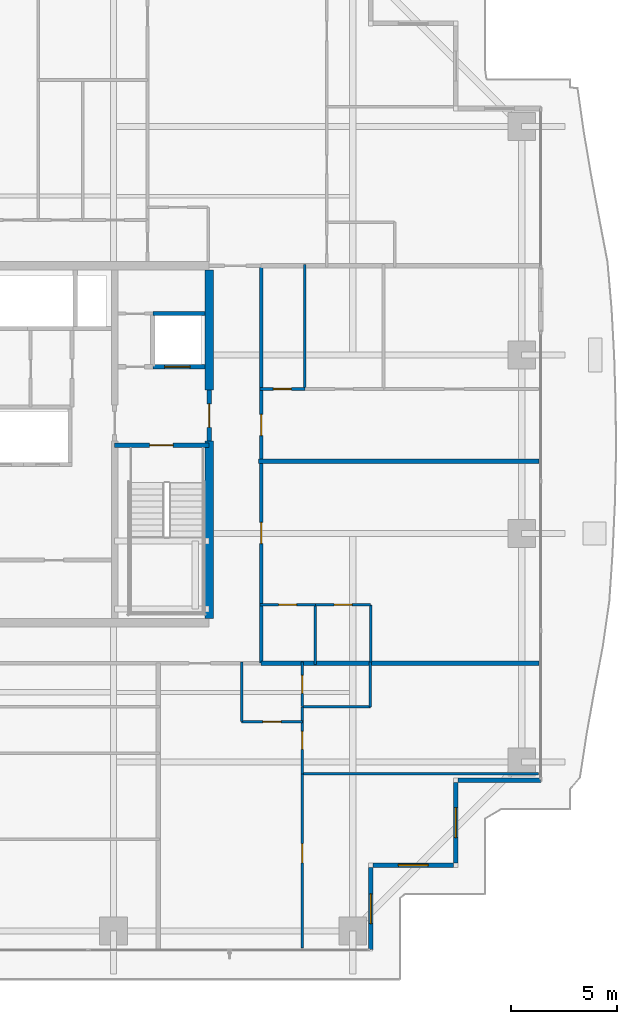
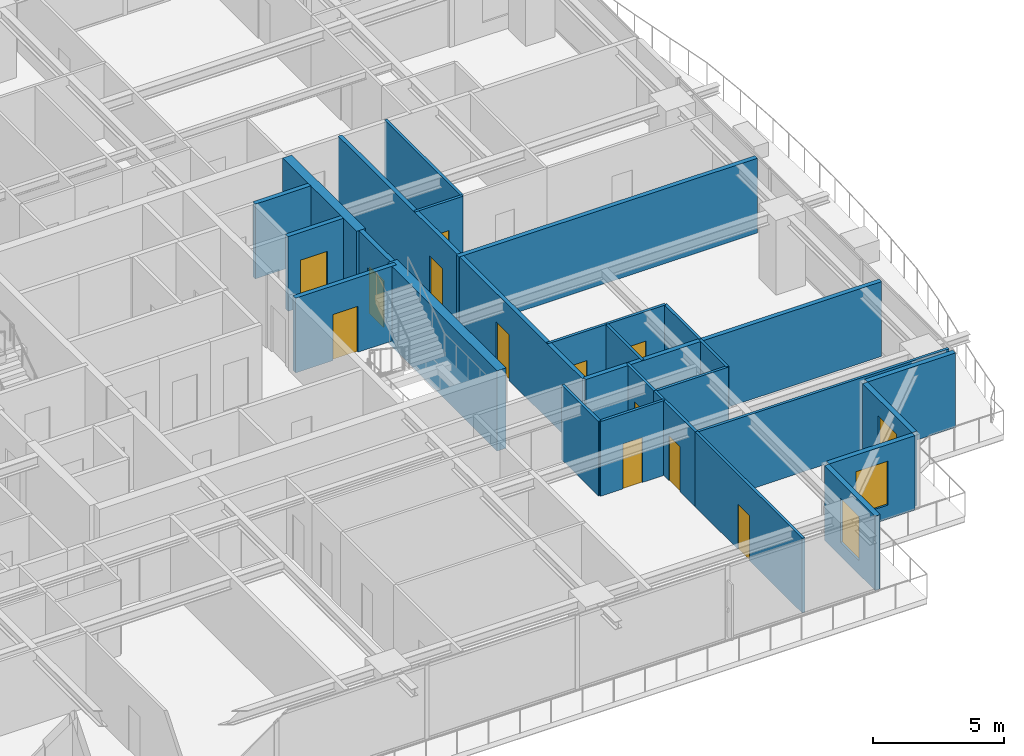
# One storey, part 26 of 34: 27 walls, 12 doors, 3 windows, 15 openings.
"""IFC4 building model written with IfcOpenShell, lengths in metres."""

from ifc_helpers import new_model, si_unit, direction, frame, frame_2d, origin, place, context, subcontext, project, spatial, rectangle, extrude, source, transform, mapped, material, layer, layer_set, type_object, element, fill, save


model = new_model("IFC4")

# Units and contexts
model_context = context("Model", 3, precision=1e-05, world=origin(), true_north=direction((0.0, 1.0)))
body_context = subcontext(model_context, "Body", "Model", "MODEL_VIEW")
ifc_project = project(units=[si_unit("LENGTHUNIT", "METRE"), si_unit("AREAUNIT", "SQUARE_METRE"), si_unit("VOLUMEUNIT", "CUBIC_METRE"), si_unit("PLANEANGLEUNIT", "RADIAN"), si_unit("MASSUNIT", "GRAM", prefix="KILO")], contexts=[model_context])

# Site, building, storey
site_placement = place(None, origin())
site = spatial("IfcSite", under=ifc_project, at=site_placement, CompositionType="ELEMENT")
building_placement = place(site_placement, origin())
building = spatial("IfcBuilding", under=site, at=building_placement, Name="Serunith Strait Residences", CompositionType="ELEMENT")
storey_placement = place(building_placement, frame((0.0, 0.0, 180.14990234375)))
storey = spatial("IfcBuildingStorey", under=building, at=storey_placement, Name="L45", CompositionType="ELEMENT", Elevation=180.14990234375)

# Wall, opening, window
ifc_material_1 = material(Name="Pale-Champagne Aluminium Insulated Panel", Category="aluminium")
ifc_layer_1 = layer(ifc_material_1, 0.219970703125, Name="Pale-Champagne Aluminium Insulated Panel")
ifc_layer_set_1 = layer_set([ifc_layer_1], Name="Pale-Champagne Aluminium Insulated Panel")
wall_type_1 = type_object("IfcWallType", Name="EW-ALUM-220", PredefinedType="ELEMENTEDWALL", material=ifc_layer_set_1)
wall_1_placement = place(storey_placement, frame((49.0, 1.39990234375, 0.0), z_axis=(0.0, 0.0, 1.0), x_axis=(0.0, 1.0, 0.0)))
wall_1 = element("IfcWall", 1, at=wall_1_placement, inside=storey, type_object=wall_type_1, Name="L45 Girih Serrated Corner Wall 02", PredefinedType="ELEMENTEDWALL", context=body_context, shape_type="SweptSolid", body=[
    extrude(rectangle(XDim=3.89013671875, YDim=0.219970703125, at=frame_2d((1.945068359375, 0.0))), origin(), (0.0, 0.0, 1.0), 3.47509765625),
])
opening_1_placement = place(wall_1_placement, frame((1.2451171875, 0.0, 0.64990234375)))
opening_1 = element("IfcOpeningElement", 2, at=opening_1_placement, cuts=wall_1, Name="Opening W-03", PredefinedType="OPENING", context=body_context, shape_type="SweptSolid", body=[
    extrude(rectangle(XDim=1.39990234375, YDim=2.050048828125, at=frame_2d((0.699951171875, 1.02490234375))), frame((0.0, 0.1201171875, 0.0), z_axis=(0.0, -1.0, 0.0), x_axis=(1.0, 0.0, 0.0)), (0.0, 0.0, 1.0), 0.239990234375),
])
ifc_material_2 = material(Name="Ceramic-Fritted Operable Aluminium Window Glass", Category="aluminium")
window_type = type_object("IfcWindowType", Name="WIN-C3", PartitioningType="SINGLE_PANEL", PredefinedType="WINDOW", material=ifc_material_2)
shared_shape_1 = source(origin(), body_context, "Body", "SweptSolid", [
    extrude(rectangle(XDim=1.39990234375, YDim=2.050048828125, at=frame_2d((0.699951171875, 1.02490234375))), frame((0.0, 0.030029296875, 0.0), z_axis=(0.0, -1.0, 0.0), x_axis=(1.0, 0.0, 0.0)), (0.0, 0.0, 1.0), 0.06005859375),
])
window_1_placement = place(opening_1_placement, origin())
window_1 = element("IfcWindow", 3, at=window_1_placement, inside=storey, type_object=window_type, Name="L45 Corner Operable Fritted Window 02", OverallHeight=2.050048828125, OverallWidth=1.39990234375, PartitioningType="SINGLE_PANEL", PredefinedType="WINDOW", context=body_context, shape_type="MappedRepresentation", body=[
    mapped(shared_shape_1, transform((0.0, 0.0, 0.0), scale=1.0)),
])
fill(opening_1, window_1)

wall_2_placement = place(storey_placement, frame((49.110107421875, 5.39990234375, 0.0), z_axis=(0.0, 0.0, 1.0), x_axis=(1.0, 0.0, 0.0)))
wall_2 = element("IfcWall", 4, at=wall_2_placement, inside=storey, type_object=wall_type_1, Name="L45 Girih Serrated Corner Wall 03", PredefinedType="ELEMENTEDWALL", context=body_context, shape_type="SweptSolid", body=[
    extrude(rectangle(XDim=3.77978515625, YDim=0.219970703125, at=frame_2d((1.889892578125, 0.0))), origin(), (0.0, 0.0, 1.0), 3.47509765625),
])
opening_2_placement = place(wall_2_placement, frame((1.18994140625, 0.0, 0.64990234375)))
opening_2 = element("IfcOpeningElement", 5, at=opening_2_placement, cuts=wall_2, Name="Opening W-03", PredefinedType="OPENING", context=body_context, shape_type="SweptSolid", body=[
    extrude(rectangle(XDim=1.39990234375, YDim=2.050048828125, at=frame_2d((0.699951171875, 1.02490234375))), frame((0.0, 0.1201171875, 0.0), z_axis=(0.0, -1.0, 0.0), x_axis=(1.0, 0.0, 0.0)), (0.0, 0.0, 1.0), 0.239990234375),
])
window_2_placement = place(opening_2_placement, origin())
window_2 = element("IfcWindow", 6, at=window_2_placement, inside=storey, type_object=window_type, Name="L45 Corner Operable Fritted Window 03", OverallHeight=2.050048828125, OverallWidth=1.39990234375, PartitioningType="SINGLE_PANEL", PredefinedType="WINDOW", context=body_context, shape_type="MappedRepresentation", body=[
    mapped(shared_shape_1, transform((0.0, 0.0, 0.0), scale=1.0)),
])
fill(opening_2, window_2)

wall_3_placement = place(storey_placement, frame((53.0, 5.510009765625, 0.0), z_axis=(0.0, 0.0, 1.0), x_axis=(0.0, 1.0, 0.0)))
wall_3 = element("IfcWall", 7, at=wall_3_placement, inside=storey, type_object=wall_type_1, Name="L45 Girih Serrated Corner Wall 04", PredefinedType="ELEMENTEDWALL", context=body_context, shape_type="SweptSolid", body=[
    extrude(rectangle(XDim=3.780029296875, YDim=0.219970703125, at=frame_2d((1.89013671875, 0.0))), origin(), (0.0, 0.0, 1.0), 3.47509765625),
])
opening_3_placement = place(wall_3_placement, frame((1.18994140625, 0.0, 0.64990234375)))
opening_3 = element("IfcOpeningElement", 8, at=opening_3_placement, cuts=wall_3, Name="Opening W-03", PredefinedType="OPENING", context=body_context, shape_type="SweptSolid", body=[
    extrude(rectangle(XDim=1.39990234375, YDim=2.050048828125, at=frame_2d((0.699951171875, 1.02490234375))), frame((0.0, 0.1201171875, 0.0), z_axis=(0.0, -1.0, 0.0), x_axis=(1.0, 0.0, 0.0)), (0.0, 0.0, 1.0), 0.239990234375),
])
window_3_placement = place(opening_3_placement, origin())
window_3 = element("IfcWindow", 9, at=window_3_placement, inside=storey, type_object=window_type, Name="L45 Corner Operable Fritted Window 04", OverallHeight=2.050048828125, OverallWidth=1.39990234375, PartitioningType="SINGLE_PANEL", PredefinedType="WINDOW", context=body_context, shape_type="MappedRepresentation", body=[
    mapped(shared_shape_1, transform((0.0, 0.0, 0.0), scale=1.0)),
])
fill(opening_3, window_3)

# Wall
wall_4_placement = place(storey_placement, frame((53.110107421875, 9.39990234375, 0.0), z_axis=(0.0, 0.0, 1.0), x_axis=(1.0, 0.0, 0.0)))
element("IfcWall", 10, at=wall_4_placement, inside=storey, type_object=wall_type_1, Name="L45 Girih Serrated Corner Wall 05", PredefinedType="ELEMENTEDWALL", context=body_context, shape_type="SweptSolid", body=[
    extrude(rectangle(XDim=3.889892578125, YDim=0.219970703125, at=frame_2d((1.94482421875, 0.0))), origin(), (0.0, 0.0, 1.0), 3.47509765625),
])

# Wall, openings, doors
ifc_material_3 = material(Name="Fire-rated acoustic gypsum partition")
ifc_layer_2 = layer(ifc_material_3, 0.179931640625, Name="Fire-rated acoustic gypsum partition")
ifc_layer_set_2 = layer_set([ifc_layer_2], Name="Fire-rated acoustic gypsum partition")
wall_type_2 = type_object("IfcWallType", Name="IW-CORR-180", PredefinedType="PARTITIONING", material=ifc_layer_set_2)
wall_5_placement = place(storey_placement, frame((43.85009765625, 14.89990234375, 0.0), z_axis=(0.0, 0.0, 1.0), x_axis=(0.0, 1.0, 0.0)))
wall_5 = element("IfcWall", 11, at=wall_5_placement, inside=storey, type_object=wall_type_2, Name="L45 Partition Wall 028", PredefinedType="PARTITIONING", context=body_context, shape_type="SweptSolid", body=[
    extrude(rectangle(XDim=18.7001953125, YDim=0.179931640625, at=frame_2d((9.35009765625, 0.0))), origin(), (0.0, 0.0, 1.0), 3.489990234375),
])
opening_4_placement = place(wall_5_placement, frame((5.62890625, 0.0, 0.0)))
opening_4 = element("IfcOpeningElement", 12, at=opening_4_placement, cuts=wall_5, Name="Opening D-APT1000", PredefinedType="OPENING", context=body_context, shape_type="SweptSolid", body=[
    extrude(rectangle(XDim=1.0, YDim=2.14990234375, at=frame_2d((0.5, 1.074951171875))), frame((0.0, 0.10009765625, 0.0), z_axis=(0.0, -1.0, 0.0), x_axis=(1.0, 0.0, 0.0)), (0.0, 0.0, 1.0), 0.199951171875),
])
opening_5_placement = place(wall_5_placement, frame((10.708984375, 0.0, 0.0)))
opening_5 = element("IfcOpeningElement", 13, at=opening_5_placement, cuts=wall_5, Name="Opening D-APT1000", PredefinedType="OPENING", context=body_context, shape_type="SweptSolid", body=[
    extrude(rectangle(XDim=1.0, YDim=2.14990234375, at=frame_2d((0.5, 1.074951171875))), frame((0.0, 0.10009765625, 0.0), z_axis=(0.0, -1.0, 0.0), x_axis=(1.0, 0.0, 0.0)), (0.0, 0.0, 1.0), 0.199951171875),
])
ifc_material_4 = material(Name="Solid timber engineered fire door", Category="wood")
door_type_1 = type_object("IfcDoorType", Name="ID-APT-1000", OperationType="NOTDEFINED", PredefinedType="DOOR", material=ifc_material_4)
shared_shape_2 = source(origin(), body_context, "Body", "SweptSolid", [
    extrude(rectangle(XDim=1.0, YDim=2.14990234375, at=frame_2d((0.5, 1.074951171875))), frame((0.0, 0.02490234375, 0.0), z_axis=(0.0, -1.0, 0.0), x_axis=(1.0, 0.0, 0.0)), (0.0, 0.0, 1.0), 0.050048828125),
])
door_1_placement = place(opening_4_placement, origin())
door_1 = element("IfcDoor", 14, at=door_1_placement, inside=storey, type_object=door_type_1, Name="L45 Unit 07 Entrance Door", OperationType="SINGLE_SWING_RIGHT", OverallHeight=2.14990234375, OverallWidth=1.0, PredefinedType="DOOR", context=body_context, shape_type="MappedRepresentation", body=[
    mapped(shared_shape_2, transform((0.0, 0.0, 0.0), scale=1.0)),
])
fill(opening_4, door_1)
door_2_placement = place(opening_5_placement, origin())
door_2 = element("IfcDoor", 15, at=door_2_placement, inside=storey, type_object=door_type_1, Name="L45 Unit 08 Entrance Door", OperationType="SINGLE_SWING_LEFT", OverallHeight=2.14990234375, OverallWidth=1.0, PredefinedType="DOOR", context=body_context, shape_type="MappedRepresentation", body=[
    mapped(shared_shape_2, transform((0.0, 0.0, 0.0), scale=1.0)),
])
fill(opening_5, door_2)

# Wall, opening, door
ifc_material_5 = material(Name="Lightweight steel-stud gypsum partition", Category="steel")
ifc_layer_3 = layer(ifc_material_5, 0.1201171875, Name="Lightweight steel-stud gypsum partition")
ifc_layer_set_3 = layer_set([ifc_layer_3], Name="Lightweight steel-stud gypsum partition")
wall_type_3 = type_object("IfcWallType", Name="IW-PART-120", PredefinedType="PARTITIONING", material=ifc_layer_set_3)
wall_6_placement = place(storey_placement, frame((42.929931640625, 12.14990234375, 0.0), z_axis=(0.0, 0.0, 1.0), x_axis=(1.0, 0.0, 0.0)))
wall_6 = element("IfcWall", 16, at=wall_6_placement, inside=storey, type_object=wall_type_3, Name="L45 Partition Wall 046", PredefinedType="PARTITIONING", context=body_context, shape_type="SweptSolid", body=[
    extrude(rectangle(XDim=2.85009765625, YDim=0.1201171875, at=frame_2d((1.425048828125, 0.0))), origin(), (0.0, 0.0, 1.0), 3.489990234375),
])
opening_6_placement = place(wall_6_placement, frame((1.0, 0.0, 0.0)))
opening_6 = element("IfcOpeningElement", 17, at=opening_6_placement, cuts=wall_6, Name="Opening D-RM850", PredefinedType="OPENING", context=body_context, shape_type="SweptSolid", body=[
    extrude(rectangle(XDim=0.85009765625, YDim=2.10009765625, at=frame_2d((0.425048828125, 1.050048828125))), frame((0.0, 0.070068359375, 0.0), z_axis=(0.0, -1.0, 0.0), x_axis=(1.0, 0.0, 0.0)), (0.0, 0.0, 1.0), 0.14013671875),
])
ifc_material_6 = material(Name="Engineered timber flush study and kitchen door", Category="wood")
door_type_2 = type_object("IfcDoorType", Name="ID-ROOM-850", OperationType="NOTDEFINED", PredefinedType="DOOR", material=ifc_material_6)
shared_shape_3 = source(origin(), body_context, "Body", "SweptSolid", [
    extrude(rectangle(XDim=0.85009765625, YDim=2.10009765625, at=frame_2d((0.425048828125, 1.050048828125))), frame((0.0, 0.02490234375, 0.0), z_axis=(0.0, -1.0, 0.0), x_axis=(1.0, 0.0, 0.0)), (0.0, 0.0, 1.0), 0.050048828125),
])
door_3_placement = place(opening_6_placement, origin())
door_3 = element("IfcDoor", 18, at=door_3_placement, inside=storey, type_object=door_type_2, Name="L45 Kitchen 4503 Door", OperationType="SINGLE_SWING_LEFT", OverallHeight=2.10009765625, OverallWidth=0.85009765625, PredefinedType="DOOR", context=body_context, shape_type="MappedRepresentation", body=[
    mapped(shared_shape_3, transform((0.0, 0.0, 0.0), scale=1.0)),
])
fill(opening_6, door_3)

# Wall
wall_7_placement = place(storey_placement, frame((42.929931640625, 12.14990234375, 0.0), z_axis=(0.0, 0.0, 1.0), x_axis=(0.0, 1.0, 0.0)))
element("IfcWall", 19, at=wall_7_placement, inside=storey, type_object=wall_type_3, Name="L45 Partition Wall 047", PredefinedType="PARTITIONING", context=body_context, shape_type="SweptSolid", body=[
    extrude(rectangle(XDim=2.81005859375, YDim=0.1201171875, at=frame_2d((1.405029296875, 0.0))), origin(), (0.0, 0.0, 1.0), 3.489990234375),
])

# Wall, opening, door
wall_8_placement = place(storey_placement, frame((45.780029296875, 1.4951171875, 0.0), z_axis=(0.0, 0.0, 1.0), x_axis=(0.0, 1.0, 0.0)))
wall_8 = element("IfcWall", 20, at=wall_8_placement, inside=storey, type_object=wall_type_3, Name="L45 Partition Wall 048", PredefinedType="PARTITIONING", context=body_context, shape_type="SweptSolid", body=[
    extrude(rectangle(XDim=8.19482421875, YDim=0.1201171875, at=frame_2d((4.097412109375, 0.0))), origin(), (0.0, 0.0, 1.0), 3.489990234375),
])
opening_7_placement = place(wall_8_placement, frame((4.011962890625, 0.0, 0.0)))
opening_7 = element("IfcOpeningElement", 21, at=opening_7_placement, cuts=wall_8, Name="Opening D-RM900", PredefinedType="OPENING", context=body_context, shape_type="SweptSolid", body=[
    extrude(rectangle(XDim=0.89990234375, YDim=2.10009765625, at=frame_2d((0.449951171875, 1.050048828125))), frame((0.0, 0.070068359375, 0.0), z_axis=(0.0, -1.0, 0.0), x_axis=(1.0, 0.0, 0.0)), (0.0, 0.0, 1.0), 0.14013671875),
])
ifc_material_7 = material(Name="Engineered timber flush bedroom door", Category="wood")
door_type_3 = type_object("IfcDoorType", Name="ID-ROOM-900", OperationType="NOTDEFINED", PredefinedType="DOOR", material=ifc_material_7)
shared_shape_4 = source(origin(), body_context, "Body", "SweptSolid", [
    extrude(rectangle(XDim=0.89990234375, YDim=2.10009765625, at=frame_2d((0.449951171875, 1.050048828125))), frame((0.0, 0.02490234375, 0.0), z_axis=(0.0, -1.0, 0.0), x_axis=(1.0, 0.0, 0.0)), (0.0, 0.0, 1.0), 0.050048828125),
])
door_4_placement = place(opening_7_placement, origin())
door_4 = element("IfcDoor", 22, at=door_4_placement, inside=storey, type_object=door_type_3, Name="L45 Master Bedroom 1 4503 Door", OperationType="SINGLE_SWING_RIGHT", OverallHeight=2.10009765625, OverallWidth=0.89990234375, PredefinedType="DOOR", context=body_context, shape_type="MappedRepresentation", body=[
    mapped(shared_shape_4, transform((0.0, 0.0, 0.0), scale=1.0)),
])
fill(opening_7, door_4)

# Walls
wall_9_placement = place(storey_placement, frame((45.780029296875, 9.68994140625, 0.0), z_axis=(0.0, 0.0, 1.0), x_axis=(1.0, 0.0, 0.0)))
element("IfcWall", 23, at=wall_9_placement, inside=storey, type_object=wall_type_3, Name="L45 Partition Wall 049", PredefinedType="PARTITIONING", context=body_context, shape_type="SweptSolid", body=[
    extrude(rectangle(XDim=11.125, YDim=0.1201171875, at=frame_2d((5.5625, 0.0))), origin(), (0.0, 0.0, 1.0), 3.489990234375),
])
wall_10_placement = place(storey_placement, frame((45.780029296875, 12.85009765625, 0.0), z_axis=(0.0, 0.0, 1.0), x_axis=(1.0, 0.0, 0.0)))
element("IfcWall", 24, at=wall_10_placement, inside=storey, type_object=wall_type_3, Name="L45 Partition Wall 050", PredefinedType="PARTITIONING", context=body_context, shape_type="SweptSolid", body=[
    extrude(rectangle(XDim=3.199951171875, YDim=0.1201171875, at=frame_2d((1.60009765625, 0.0))), origin(), (0.0, 0.0, 1.0), 3.489990234375),
])
wall_11_placement = place(storey_placement, frame((48.97998046875, 12.85009765625, 0.0), z_axis=(0.0, 0.0, 1.0), x_axis=(0.0, 1.0, 0.0)))
element("IfcWall", 25, at=wall_11_placement, inside=storey, type_object=wall_type_3, Name="L45 Partition Wall 051", PredefinedType="PARTITIONING", context=body_context, shape_type="SweptSolid", body=[
    extrude(rectangle(XDim=2.10986328125, YDim=0.1201171875, at=frame_2d((1.054931640625, 0.0))), origin(), (0.0, 0.0, 1.0), 3.489990234375),
])

# Wall, opening, door
wall_12_placement = place(storey_placement, frame((45.780029296875, 9.69189453125, 0.0), z_axis=(0.0, 0.0, 1.0), x_axis=(0.0, 1.0, 0.0)))
wall_12 = element("IfcWall", 26, at=wall_12_placement, inside=storey, type_object=wall_type_3, Name="L45 Partition Wall 052", PredefinedType="PARTITIONING", context=body_context, shape_type="SweptSolid", body=[
    extrude(rectangle(XDim=3.158203125, YDim=0.1201171875, at=frame_2d((1.5791015625, 0.0))), origin(), (0.0, 0.0, 1.0), 3.489990234375),
])
opening_8_placement = place(wall_12_placement, frame((1.154052734375, 0.0, 0.0)))
opening_8 = element("IfcOpeningElement", 27, at=opening_8_placement, cuts=wall_12, Name="Opening D-RM850", PredefinedType="OPENING", context=body_context, shape_type="SweptSolid", body=[
    extrude(rectangle(XDim=0.85009765625, YDim=2.10009765625, at=frame_2d((0.425048828125, 1.050048828125))), frame((0.0, 0.070068359375, 0.0), z_axis=(0.0, -1.0, 0.0), x_axis=(1.0, 0.0, 0.0)), (0.0, 0.0, 1.0), 0.14013671875),
])
door_5_placement = place(opening_8_placement, origin())
door_5 = element("IfcDoor", 28, at=door_5_placement, inside=storey, type_object=door_type_2, Name="L45 Walk-in Wardrobe 4503 Door", OperationType="SINGLE_SWING_LEFT", OverallHeight=2.10009765625, OverallWidth=0.85009765625, PredefinedType="DOOR", context=body_context, shape_type="MappedRepresentation", body=[
    mapped(shared_shape_3, transform((0.0, 0.0, 0.0), scale=1.0)),
])
fill(opening_8, door_5)

wall_13_placement = place(storey_placement, frame((45.780029296875, 12.85205078125, 0.0), z_axis=(0.0, 0.0, 1.0), x_axis=(0.0, 1.0, 0.0)))
wall_13 = element("IfcWall", 29, at=wall_13_placement, inside=storey, type_object=wall_type_3, Name="L45 Partition Wall 053", PredefinedType="PARTITIONING", context=body_context, shape_type="SweptSolid", body=[
    extrude(rectangle(XDim=2.10791015625, YDim=0.1201171875, at=frame_2d((1.053955078125, 0.0))), origin(), (0.0, 0.0, 1.0), 3.489990234375),
])
opening_9_placement = place(wall_13_placement, frame((0.62890625, 0.0, 0.0)))
opening_9 = element("IfcOpeningElement", 30, at=opening_9_placement, cuts=wall_13, Name="Opening D-BTH850", PredefinedType="OPENING", context=body_context, shape_type="SweptSolid", body=[
    extrude(rectangle(XDim=0.85009765625, YDim=2.10009765625, at=frame_2d((0.425048828125, 1.050048828125))), frame((0.0, 0.070068359375, 0.0), z_axis=(0.0, -1.0, 0.0), x_axis=(1.0, 0.0, 0.0)), (0.0, 0.0, 1.0), 0.14013671875),
])
ifc_material_8 = material(Name="Moisture-resistant timber bathroom door", Category="wood")
door_type_4 = type_object("IfcDoorType", Name="ID-BATH-850", OperationType="NOTDEFINED", PredefinedType="DOOR", material=ifc_material_8)
door_6_placement = place(opening_9_placement, origin())
door_6 = element("IfcDoor", 31, at=door_6_placement, inside=storey, type_object=door_type_4, Name="L45 Bathroom 4503 Door", OperationType="SINGLE_SWING_RIGHT", OverallHeight=2.10009765625, OverallWidth=0.85009765625, PredefinedType="DOOR", context=body_context, shape_type="MappedRepresentation", body=[
    mapped(shared_shape_3, transform((0.0, 0.0, 0.0), scale=1.0)),
])
fill(opening_9, door_6)

wall_14_placement = place(storey_placement, frame((49.0, 17.64990234375, 0.0), z_axis=(0.0, 0.0, 1.0), x_axis=(-1.0, 0.0, 0.0)))
wall_14 = element("IfcWall", 32, at=wall_14_placement, inside=storey, type_object=wall_type_3, Name="L45 Partition Wall 086", PredefinedType="PARTITIONING", context=body_context, shape_type="SweptSolid", body=[
    extrude(rectangle(XDim=2.60009765625, YDim=0.1201171875, at=frame_2d((1.300048828125, 0.0))), origin(), (0.0, 0.0, 1.0), 3.489990234375),
])
opening_10_placement = place(wall_14_placement, frame((0.875, 0.0, 0.0)))
opening_10 = element("IfcOpeningElement", 33, at=opening_10_placement, cuts=wall_14, Name="Opening D-RM850", PredefinedType="OPENING", context=body_context, shape_type="SweptSolid", body=[
    extrude(rectangle(XDim=0.85009765625, YDim=2.10009765625, at=frame_2d((0.425048828125, 1.050048828125))), frame((0.0, 0.070068359375, 0.0), z_axis=(0.0, -1.0, 0.0), x_axis=(1.0, 0.0, 0.0)), (0.0, 0.0, 1.0), 0.14013671875),
])
door_7_placement = place(opening_10_placement, origin())
door_7 = element("IfcDoor", 34, at=door_7_placement, inside=storey, type_object=door_type_2, Name="L45 Kitchen 4507 Door", OperationType="SINGLE_SWING_LEFT", OverallHeight=2.10009765625, OverallWidth=0.85009765625, PredefinedType="DOOR", context=body_context, shape_type="MappedRepresentation", body=[
    mapped(shared_shape_3, transform((0.0, 0.0, 0.0), scale=1.0)),
])
fill(opening_10, door_7)

wall_15_placement = place(storey_placement, frame((46.39794921875, 17.64990234375, 0.0), z_axis=(0.0, 0.0, 1.0), x_axis=(-1.0, 0.0, 0.0)))
wall_15 = element("IfcWall", 35, at=wall_15_placement, inside=storey, type_object=wall_type_3, Name="L45 Partition Wall 087", PredefinedType="PARTITIONING", context=body_context, shape_type="SweptSolid", body=[
    extrude(rectangle(XDim=2.60791015625, YDim=0.1201171875, at=frame_2d((1.303955078125, 0.0))), origin(), (0.0, 0.0, 1.0), 3.489990234375),
])
opening_11_placement = place(wall_15_placement, frame((0.87890625, 0.0, 0.0)))
opening_11 = element("IfcOpeningElement", 36, at=opening_11_placement, cuts=wall_15, Name="Opening D-BTH850", PredefinedType="OPENING", context=body_context, shape_type="SweptSolid", body=[
    extrude(rectangle(XDim=0.85009765625, YDim=2.10009765625, at=frame_2d((0.425048828125, 1.050048828125))), frame((0.0, 0.070068359375, 0.0), z_axis=(0.0, -1.0, 0.0), x_axis=(1.0, 0.0, 0.0)), (0.0, 0.0, 1.0), 0.14013671875),
])
door_8_placement = place(opening_11_placement, origin())
door_8 = element("IfcDoor", 37, at=door_8_placement, inside=storey, type_object=door_type_4, Name="L45 Bathroom 4507 Door", OperationType="SINGLE_SWING_RIGHT", OverallHeight=2.10009765625, OverallWidth=0.85009765625, PredefinedType="DOOR", context=body_context, shape_type="MappedRepresentation", body=[
    mapped(shared_shape_3, transform((0.0, 0.0, 0.0), scale=1.0)),
])
fill(opening_11, door_8)

# Walls
wall_16_placement = place(storey_placement, frame((46.39990234375, 14.840087890625, 0.0), z_axis=(0.0, 0.0, 1.0), x_axis=(0.0, 1.0, 0.0)))
element("IfcWall", 38, at=wall_16_placement, inside=storey, type_object=wall_type_3, Name="L45 Partition Wall 088", PredefinedType="PARTITIONING", context=body_context, shape_type="SweptSolid", body=[
    extrude(rectangle(XDim=2.809814453125, YDim=0.1201171875, at=frame_2d((1.40478515625, 0.0))), origin(), (0.0, 0.0, 1.0), 3.489990234375),
])
wall_17_placement = place(storey_placement, frame((49.0, 14.9619140625, 0.0), z_axis=(0.0, 0.0, 1.0), x_axis=(0.0, 1.0, 0.0)))
element("IfcWall", 39, at=wall_17_placement, inside=storey, type_object=wall_type_3, Name="L45 Partition Wall 089", PredefinedType="PARTITIONING", context=body_context, shape_type="SweptSolid", body=[
    extrude(rectangle(XDim=2.68798828125, YDim=0.1201171875, at=frame_2d((1.343994140625, 0.0))), origin(), (0.0, 0.0, 1.0), 3.489990234375),
])
wall_18_placement = place(storey_placement, frame((45.89990234375, 27.800048828125, 0.0), z_axis=(0.0, 0.0, 1.0), x_axis=(0.0, 1.0, 0.0)))
element("IfcWall", 40, at=wall_18_placement, inside=storey, type_object=wall_type_3, Name="L45 Partition Wall 092", PredefinedType="PARTITIONING", context=body_context, shape_type="SweptSolid", body=[
    extrude(rectangle(XDim=5.85986328125, YDim=0.1201171875, at=frame_2d((2.929931640625, 0.0))), origin(), (0.0, 0.0, 1.0), 3.489990234375),
])

# Wall, opening, door
wall_19_placement = place(storey_placement, frame((45.89794921875, 27.800048828125, 0.0), z_axis=(0.0, 0.0, 1.0), x_axis=(-1.0, 0.0, 0.0)))
wall_19 = element("IfcWall", 41, at=wall_19_placement, inside=storey, type_object=wall_type_3, Name="L45 Partition Wall 094", PredefinedType="PARTITIONING", context=body_context, shape_type="SweptSolid", body=[
    extrude(rectangle(XDim=2.10791015625, YDim=0.1201171875, at=frame_2d((1.053955078125, 0.0))), origin(), (0.0, 0.0, 1.0), 3.489990234375),
])
opening_12_placement = place(wall_19_placement, frame((0.62890625, 0.0, 0.0)))
opening_12 = element("IfcOpeningElement", 42, at=opening_12_placement, cuts=wall_19, Name="Opening D-BTH850", PredefinedType="OPENING", context=body_context, shape_type="SweptSolid", body=[
    extrude(rectangle(XDim=0.85009765625, YDim=2.10009765625, at=frame_2d((0.425048828125, 1.050048828125))), frame((0.0, 0.070068359375, 0.0), z_axis=(0.0, -1.0, 0.0), x_axis=(1.0, 0.0, 0.0)), (0.0, 0.0, 1.0), 0.14013671875),
])
door_9_placement = place(opening_12_placement, origin())
door_9 = element("IfcDoor", 43, at=door_9_placement, inside=storey, type_object=door_type_4, Name="L45 Bathroom 4508 Door", OperationType="SINGLE_SWING_LEFT", OverallHeight=2.10009765625, OverallWidth=0.85009765625, PredefinedType="DOOR", context=body_context, shape_type="MappedRepresentation", body=[
    mapped(shared_shape_3, transform((0.0, 0.0, 0.0), scale=1.0)),
])
fill(opening_12, door_9)

# Walls
ifc_material_9 = material(Name="Twin-stud acoustic gypsum board partition")
ifc_layer_4 = layer(ifc_material_9, 0.199951171875, Name="Twin-stud acoustic gypsum board partition")
ifc_layer_set_4 = layer_set([ifc_layer_4], Name="Twin-stud acoustic gypsum board partition")
wall_type_4 = type_object("IfcWallType", Name="IW-PARTY-200", PredefinedType="PARTITIONING", material=ifc_layer_set_4)
wall_20_placement = place(storey_placement, frame((43.72998046875, 24.39990234375, 0.0), z_axis=(0.0, 0.0, 1.0), x_axis=(1.0, 0.0, 0.0)))
element("IfcWall", 44, at=wall_20_placement, inside=storey, type_object=wall_type_4, Name="L45 Partition Wall 021", PredefinedType="PARTITIONING", context=body_context, shape_type="SweptSolid", body=[
    extrude(rectangle(XDim=13.18798828125, YDim=0.199951171875, at=frame_2d((6.593994140625, 0.0))), origin(), (0.0, 0.0, 1.0), 3.489990234375),
])
wall_21_placement = place(storey_placement, frame((43.85009765625, 14.89990234375, 0.0), z_axis=(0.0, 0.0, 1.0), x_axis=(1.0, 0.0, 0.0)))
element("IfcWall", 45, at=wall_21_placement, inside=storey, type_object=wall_type_4, Name="L45 Partition Wall 023", PredefinedType="PARTITIONING", context=body_context, shape_type="SweptSolid", body=[
    extrude(rectangle(XDim=13.06787109375, YDim=0.199951171875, at=frame_2d((6.533935546875, 0.0))), origin(), (0.0, 0.0, 1.0), 3.489990234375),
])

# Wall, opening, door
ifc_material_10 = material(Name="Autoclaved aerated concrete blockwork", Category="masonry")
ifc_layer_5 = layer(ifc_material_10, 0.199951171875, Name="Autoclaved aerated concrete blockwork")
ifc_layer_set_5 = layer_set([ifc_layer_5], Name="Autoclaved aerated concrete blockwork")
wall_type_5 = type_object("IfcWallType", Name="IW-SHAFT-200", PredefinedType="STANDARD", material=ifc_layer_set_5)
wall_22_placement = place(storey_placement, frame((36.949951171875, 25.14990234375, 0.0), z_axis=(0.0, 0.0, 1.0), x_axis=(1.0, 0.0, 0.0)))
wall_22 = element("IfcWall", 46, at=wall_22_placement, inside=storey, type_object=wall_type_5, Name="L45 ST-2 North Shaft Wall", PredefinedType="STANDARD", context=body_context, shape_type="SweptSolid", body=[
    extrude(rectangle(XDim=4.449951171875, YDim=0.199951171875, at=frame_2d((2.22509765625, 0.0))), origin(), (0.0, 0.0, 1.0), 3.489990234375),
])
opening_13_placement = place(wall_22_placement, frame((1.64990234375, 0.0, 0.0)))
opening_13 = element("IfcOpeningElement", 47, at=opening_13_placement, cuts=wall_22, Name="Opening FD-1100", PredefinedType="OPENING", context=body_context, shape_type="SweptSolid", body=[
    extrude(rectangle(XDim=1.10009765625, YDim=2.14990234375, at=frame_2d((0.550048828125, 1.074951171875))), frame((0.0, 0.10986328125, 0.0), z_axis=(0.0, -1.0, 0.0), x_axis=(1.0, 0.0, 0.0)), (0.0, 0.0, 1.0), 0.219970703125),
])
ifc_material_11 = material(Name="Galvanised steel fire door leaf", Category="steel")
door_type_5 = type_object("IfcDoorType", Name="FD-STAIR-1100", OperationType="NOTDEFINED", PredefinedType="DOOR", material=ifc_material_11)
shared_shape_5 = source(origin(), body_context, "Body", "SweptSolid", [
    extrude(rectangle(XDim=1.10009765625, YDim=2.14990234375, at=frame_2d((0.550048828125, 1.074951171875))), frame((0.0, 0.02490234375, 0.0), z_axis=(0.0, -1.0, 0.0), x_axis=(1.0, 0.0, 0.0)), (0.0, 0.0, 1.0), 0.050048828125),
])
door_10_placement = place(opening_13_placement, origin())
door_10 = element("IfcDoor", 48, at=door_10_placement, inside=storey, type_object=door_type_5, Name="L45 ST-2 Escape Stair Door", OperationType="SINGLE_SWING_RIGHT", OverallHeight=2.14990234375, OverallWidth=1.10009765625, PredefinedType="DOOR", context=body_context, shape_type="MappedRepresentation", body=[
    mapped(shared_shape_5, transform((0.0, 0.0, 0.0), scale=1.0)),
])
fill(opening_13, door_10)

wall_23_placement = place(storey_placement, frame((38.75, 28.85009765625, 0.0), z_axis=(0.0, 0.0, 1.0), x_axis=(1.0, 0.0, 0.0)))
wall_23 = element("IfcWall", 49, at=wall_23_placement, inside=storey, type_object=wall_type_5, Name="L45 FL-2 South Shaft Wall", PredefinedType="STANDARD", context=body_context, shape_type="SweptSolid", body=[
    extrude(rectangle(XDim=2.449951171875, YDim=0.199951171875, at=frame_2d((1.22509765625, 0.0))), origin(), (0.0, 0.0, 1.0), 3.489990234375),
])
opening_14_placement = place(wall_23_placement, frame((0.550048828125, 0.0, 0.0)))
opening_14 = element("IfcOpeningElement", 50, at=opening_14_placement, cuts=wall_23, Name="Opening LD-FF1200", PredefinedType="OPENING", context=body_context, shape_type="SweptSolid", body=[
    extrude(rectangle(XDim=1.199951171875, YDim=2.199951171875, at=frame_2d((0.60009765625, 1.10009765625))), frame((0.0, 0.10986328125, 0.0), z_axis=(0.0, -1.0, 0.0), x_axis=(1.0, 0.0, 0.0)), (0.0, 0.0, 1.0), 0.219970703125),
])
ifc_material_12 = material(Name="Brushed stainless steel landing door", Category="steel")
door_type_6 = type_object("IfcDoorType", Name="LD-FF-1200", OperationType="DOUBLE_DOOR_SLIDING", PredefinedType="DOOR", material=ifc_material_12)
shared_shape_6 = source(origin(), body_context, "Body", "SweptSolid", [
    extrude(rectangle(XDim=1.199951171875, YDim=2.199951171875, at=frame_2d((0.60009765625, 1.10009765625))), frame((0.0, 0.02490234375, 0.0), z_axis=(0.0, -1.0, 0.0), x_axis=(1.0, 0.0, 0.0)), (0.0, 0.0, 1.0), 0.050048828125),
])
door_11_placement = place(opening_14_placement, origin())
door_11 = element("IfcDoor", 51, at=door_11_placement, inside=storey, type_object=door_type_6, Name="L45 FL-2 Landing Door", OperationType="DOUBLE_DOOR_SLIDING", OverallHeight=2.199951171875, OverallWidth=1.199951171875, PredefinedType="DOOR", context=body_context, shape_type="MappedRepresentation", body=[
    mapped(shared_shape_6, transform((0.0, 0.0, 0.0), scale=1.0)),
])
fill(opening_14, door_11)

# Wall
wall_24_placement = place(storey_placement, frame((38.75, 31.35009765625, 0.0), z_axis=(0.0, 0.0, 1.0), x_axis=(1.0, 0.0, 0.0)))
element("IfcWall", 52, at=wall_24_placement, inside=storey, type_object=wall_type_5, Name="L45 Partition Wall 005", PredefinedType="STANDARD", context=body_context, shape_type="SweptSolid", body=[
    extrude(rectangle(XDim=2.449951171875, YDim=0.199951171875, at=frame_2d((1.22509765625, 0.0))), origin(), (0.0, 0.0, 1.0), 3.489990234375),
])

# Wall, opening, door
wall_25_placement = place(storey_placement, frame((41.39990234375, 25.35205078125, 0.0), z_axis=(0.0, 0.0, 1.0), x_axis=(0.0, 1.0, 0.0)))
wall_25 = element("IfcWall", 53, at=wall_25_placement, inside=storey, type_object=wall_type_5, Name="L45 Partition Wall 008", PredefinedType="STANDARD", context=body_context, shape_type="SweptSolid", body=[
    extrude(rectangle(XDim=2.39599609375, YDim=0.199951171875, at=frame_2d((1.197998046875, 0.0))), origin(), (0.0, 0.0, 1.0), 3.489990234375),
])
opening_15_placement = place(wall_25_placement, frame((0.64794921875, 0.0, 0.0)))
opening_15 = element("IfcOpeningElement", 54, at=opening_15_placement, cuts=wall_25, Name="Opening FD-FFL", PredefinedType="OPENING", context=body_context, shape_type="SweptSolid", body=[
    extrude(rectangle(XDim=1.10009765625, YDim=2.14990234375, at=frame_2d((0.550048828125, 1.074951171875))), frame((0.0, 0.10986328125, 0.0), z_axis=(0.0, -1.0, 0.0), x_axis=(1.0, 0.0, 0.0)), (0.0, 0.0, 1.0), 0.219970703125),
])
ifc_material_13 = material(Name="Glazed steel smoke-lobby fire door", Category="steel")
door_type_7 = type_object("IfcDoorType", Name="FD-FFL-1100", OperationType="NOTDEFINED", PredefinedType="DOOR", material=ifc_material_13)
door_12_placement = place(opening_15_placement, origin())
door_12 = element("IfcDoor", 55, at=door_12_placement, inside=storey, type_object=door_type_7, Name="L45 FFL-2 Corridor Fire Door", OperationType="SINGLE_SWING_LEFT", OverallHeight=2.14990234375, OverallWidth=1.10009765625, PredefinedType="DOOR", context=body_context, shape_type="MappedRepresentation", body=[
    mapped(shared_shape_5, transform((0.0, 0.0, 0.0), scale=1.0)),
])
fill(opening_15, door_12)

# Walls
ifc_material_14 = material(Name="Concrete C70/85", Category="concrete")
ifc_layer_6 = layer(ifc_material_14, 0.39990234375, Name="Concrete C70/85")
ifc_layer_set_6 = layer_set([ifc_layer_6], Name="Concrete C70/85")
wall_type_6 = type_object("IfcWallType", Name="SW-400-C70", PredefinedType="SHEAR", material=ifc_layer_set_6)
wall_26_placement = place(storey_placement, frame((41.39990234375, 17.0, -0.260009765625), z_axis=(0.0, 0.0, 1.0), x_axis=(0.0, 1.0, 0.0)))
element("IfcWall", 56, at=wall_26_placement, inside=storey, type_object=wall_type_6, Name="L45 Core East Shear Wall South Pier", PredefinedType="SHEAR", context=body_context, shape_type="SweptSolid", body=[
    extrude(rectangle(XDim=8.35009765625, YDim=0.39990234375, at=frame_2d((4.175048828125, 0.0))), origin(), (0.0, 0.0, 1.0), 3.748046875),
])
wall_27_placement = place(storey_placement, frame((41.39990234375, 27.75, -0.260009765625), z_axis=(0.0, 0.0, 1.0), x_axis=(0.0, 1.0, 0.0)))
element("IfcWall", 57, at=wall_27_placement, inside=storey, type_object=wall_type_6, Name="L45 Core East Shear Wall North Pier", PredefinedType="SHEAR", context=body_context, shape_type="SweptSolid", body=[
    extrude(rectangle(XDim=5.64990234375, YDim=0.39990234375, at=frame_2d((2.824951171875, 0.0))), origin(), (0.0, 0.0, 1.0), 3.748046875),
])

save(model, "model.ifc")
